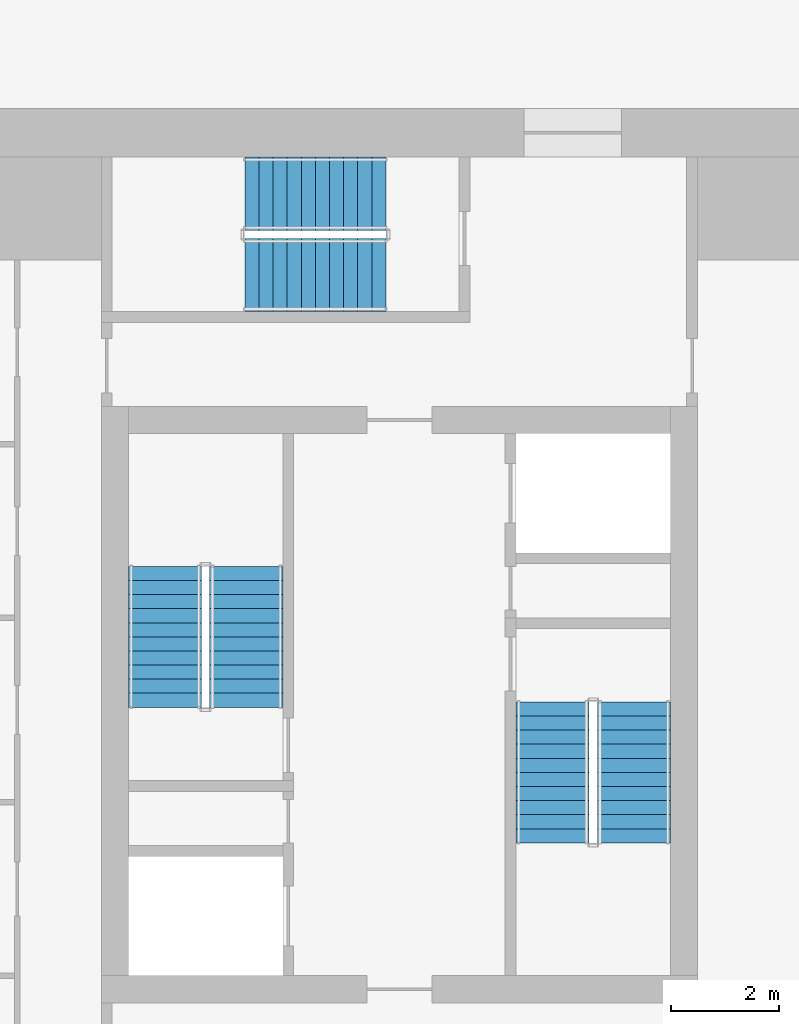
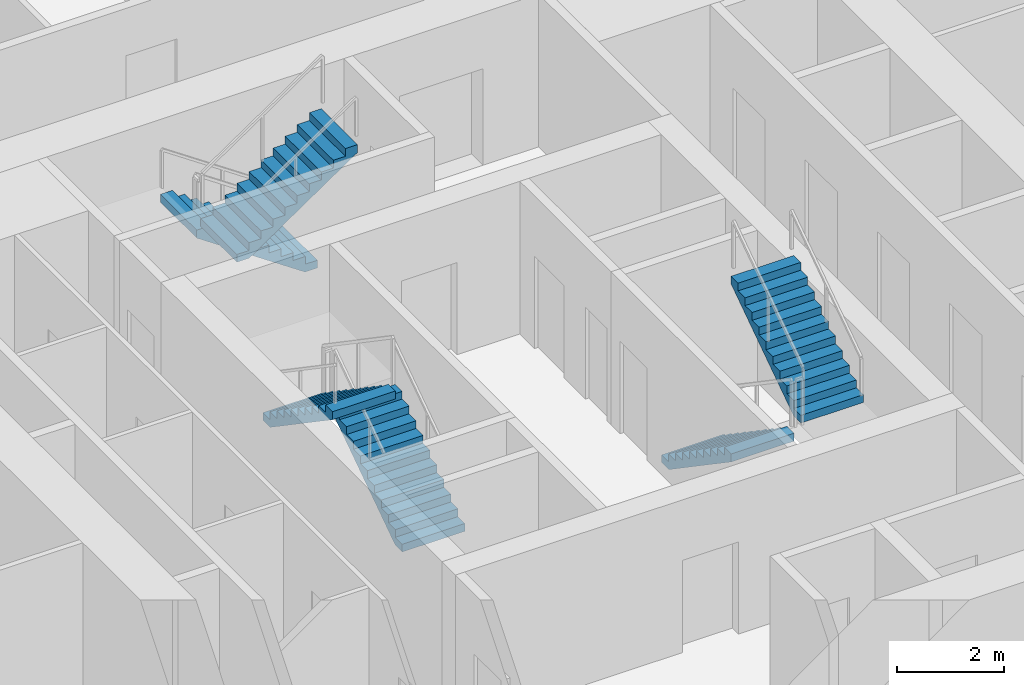
# One storey, part 10 of 15: 6 stair flights, 3 elements without a shape of their own.
"""IFC4 building model written with IfcOpenShell, lengths in metres."""

from ifc_helpers import new_model, si_unit, direction, frame, origin, place, context, subcontext, project, spatial, polyline, outline, extrude, material, type_object, element, aggregate, save


model = new_model("IFC4")

# Units and contexts
model_context = context("Model", 3, precision=1e-05, world=origin(), true_north=direction((0.0, 1.0)))
body_context = subcontext(model_context, "Body", "Model", "MODEL_VIEW")
ifc_project = project(units=[si_unit("LENGTHUNIT", "METRE"), si_unit("AREAUNIT", "SQUARE_METRE"), si_unit("VOLUMEUNIT", "CUBIC_METRE"), si_unit("PLANEANGLEUNIT", "RADIAN"), si_unit("MASSUNIT", "GRAM", prefix="KILO")], contexts=[model_context])

# Site, building, storey
site_placement = place(None, origin())
site = spatial("IfcSite", under=ifc_project, at=site_placement, CompositionType="ELEMENT")
building_placement = place(site_placement, origin())
building = spatial("IfcBuilding", under=site, at=building_placement, Name="Khepri Terraces", CompositionType="ELEMENT")
storey_placement = place(building_placement, frame((0.0, 0.0, 248.39990234375)))
storey = spatial("IfcBuildingStorey", under=building, at=storey_placement, Name="L59", CompositionType="ELEMENT", Elevation=248.39990234375)

# Stair, stair flights
ifc_material = material(Name="Concrete C40/50", Category="concrete")
stair_type = type_object("IfcStairType", Name="STAIR-RC-22R", PredefinedType="HALF_TURN_STAIR", material=ifc_material)
stair_1_placement = place(storey_placement, origin())
stair_1 = element("IfcStair", 1, at=stair_1_placement, inside=storey, type_object=stair_type, Name="L59 Exit Stair ST-1", PredefinedType="HALF_TURN_STAIR")
stair_flight_type = type_object("IfcStairFlightType", Name="SFL-RC-177.3", PredefinedType="STRAIGHT", material=ifc_material)
stair_flight_1_placement = place(storey_placement, frame((-2.824951171875, -0.050048828125, 0.0), z_axis=(0.0, 0.0, 1.0), x_axis=(0.0, 1.0, 0.0)))
stair_flight_1 = element("IfcStairFlight", 2, at=stair_flight_1_placement, type_object=stair_flight_type, Name="ST-1 flight 1", NumberOfRisers=11, NumberOfTreads=10, PredefinedType="STRAIGHT", RiserHeight=0.177272727, TreadLength=0.26, context=body_context, shape_type="SweptSolid", body=[
    extrude(outline(polyline([(0.0, 0.0), (0.0, 0.17724609375), (0.260009765625, 0.17724609375), (0.260009765625, 0.3544921875), (0.52001953125, 0.3544921875), (0.52001953125, 0.53173828125), (0.780029296875, 0.53173828125), (0.780029296875, 0.708984375), (1.0400390625, 0.708984375), (1.0400390625, 0.886474609375), (1.300048828125, 0.886474609375), (1.300048828125, 1.063720703125), (1.56005859375, 1.063720703125), (1.56005859375, 1.240966796875), (1.820068359375, 1.240966796875), (1.820068359375, 1.418212890625), (2.080078125, 1.418212890625), (2.080078125, 1.595458984375), (2.340087890625, 1.595458984375), (2.340087890625, 1.772705078125), (2.60009765625, 1.772705078125), (2.60009765625, 1.949951171875), (2.60009765625, 1.59130859375), (0.26611328125, 0.0), (0.0, 0.0)])), frame((0.0, 0.675048828125, 0.0), z_axis=(0.0, -1.0, 0.0), x_axis=(1.0, 0.0, 0.0)), (0.0, 0.0, 1.0), 1.35009765625),
])
stair_flight_2_placement = place(storey_placement, frame((-4.324951171875, 2.550048828125, 1.9501953125), z_axis=(0.0, 0.0, 1.0), x_axis=(0.0, -1.0, 0.0)))
stair_flight_2 = element("IfcStairFlight", 3, at=stair_flight_2_placement, type_object=stair_flight_type, Name="ST-1 flight 2", NumberOfRisers=11, NumberOfTreads=10, PredefinedType="STRAIGHT", RiserHeight=0.177272727, TreadLength=0.26, context=body_context, shape_type="SweptSolid", body=[
    extrude(outline(polyline([(0.0, 0.0), (0.0, 0.17724609375), (0.260009765625, 0.17724609375), (0.260009765625, 0.3544921875), (0.52001953125, 0.3544921875), (0.52001953125, 0.53173828125), (0.780029296875, 0.53173828125), (0.780029296875, 0.708984375), (1.0400390625, 0.708984375), (1.0400390625, 0.886474609375), (1.300048828125, 0.886474609375), (1.300048828125, 1.063720703125), (1.56005859375, 1.063720703125), (1.56005859375, 1.240966796875), (1.820068359375, 1.240966796875), (1.820068359375, 1.418212890625), (2.080078125, 1.418212890625), (2.080078125, 1.595458984375), (2.340087890625, 1.595458984375), (2.340087890625, 1.772705078125), (2.60009765625, 1.772705078125), (2.60009765625, 1.949951171875), (2.60009765625, 1.59130859375), (0.26611328125, 0.0), (0.0, 0.0)])), frame((0.0, 0.675048828125, 0.0), z_axis=(0.0, -1.0, 0.0), x_axis=(1.0, 0.0, 0.0)), (0.0, 0.0, 1.0), 1.35009765625),
])
aggregate(stair_1, [stair_flight_1, stair_flight_2])

stair_2_placement = place(storey_placement, origin())
stair_2 = element("IfcStair", 4, at=stair_2_placement, inside=storey, type_object=stair_type, Name="L59 Exit Stair ST-2", PredefinedType="HALF_TURN_STAIR")
stair_flight_3_placement = place(storey_placement, frame((2.824951171875, 0.050048828125, 0.0), z_axis=(0.0, 0.0, 1.0), x_axis=(0.0, -1.0, 0.0)))
stair_flight_3 = element("IfcStairFlight", 5, at=stair_flight_3_placement, type_object=stair_flight_type, Name="ST-2 flight 1", NumberOfRisers=11, NumberOfTreads=10, PredefinedType="STRAIGHT", RiserHeight=0.177272727, TreadLength=0.26, context=body_context, shape_type="SweptSolid", body=[
    extrude(outline(polyline([(0.0, 0.0), (0.0, 0.17724609375), (0.260009765625, 0.17724609375), (0.260009765625, 0.3544921875), (0.52001953125, 0.3544921875), (0.52001953125, 0.53173828125), (0.780029296875, 0.53173828125), (0.780029296875, 0.708984375), (1.0400390625, 0.708984375), (1.0400390625, 0.886474609375), (1.300048828125, 0.886474609375), (1.300048828125, 1.063720703125), (1.56005859375, 1.063720703125), (1.56005859375, 1.240966796875), (1.820068359375, 1.240966796875), (1.820068359375, 1.418212890625), (2.080078125, 1.418212890625), (2.080078125, 1.595458984375), (2.340087890625, 1.595458984375), (2.340087890625, 1.772705078125), (2.60009765625, 1.772705078125), (2.60009765625, 1.949951171875), (2.60009765625, 1.59130859375), (0.26611328125, 0.0), (0.0, 0.0)])), frame((0.0, 0.675048828125, 0.0), z_axis=(0.0, -1.0, 0.0), x_axis=(1.0, 0.0, 0.0)), (0.0, 0.0, 1.0), 1.35009765625),
])
stair_flight_4_placement = place(storey_placement, frame((4.324951171875, -2.550048828125, 1.9501953125), z_axis=(0.0, 0.0, 1.0), x_axis=(0.0, 1.0, 0.0)))
stair_flight_4 = element("IfcStairFlight", 6, at=stair_flight_4_placement, type_object=stair_flight_type, Name="ST-2 flight 2", NumberOfRisers=11, NumberOfTreads=10, PredefinedType="STRAIGHT", RiserHeight=0.177272727, TreadLength=0.26, context=body_context, shape_type="SweptSolid", body=[
    extrude(outline(polyline([(0.0, 0.0), (0.0, 0.17724609375), (0.260009765625, 0.17724609375), (0.260009765625, 0.3544921875), (0.52001953125, 0.3544921875), (0.52001953125, 0.53173828125), (0.780029296875, 0.53173828125), (0.780029296875, 0.708984375), (1.0400390625, 0.708984375), (1.0400390625, 0.886474609375), (1.300048828125, 0.886474609375), (1.300048828125, 1.063720703125), (1.56005859375, 1.063720703125), (1.56005859375, 1.240966796875), (1.820068359375, 1.240966796875), (1.820068359375, 1.418212890625), (2.080078125, 1.418212890625), (2.080078125, 1.595458984375), (2.340087890625, 1.595458984375), (2.340087890625, 1.772705078125), (2.60009765625, 1.772705078125), (2.60009765625, 1.949951171875), (2.60009765625, 1.59130859375), (0.26611328125, 0.0), (0.0, 0.0)])), frame((0.0, 0.675048828125, 0.0), z_axis=(0.0, -1.0, 0.0), x_axis=(1.0, 0.0, 0.0)), (0.0, 0.0, 1.0), 1.35009765625),
])
aggregate(stair_2, [stair_flight_3, stair_flight_4])

stair_3_placement = place(storey_placement, origin())
stair_3 = element("IfcStair", 7, at=stair_3_placement, inside=storey, type_object=stair_type, Name="L59 Exit Stair ST-3", PredefinedType="HALF_TURN_STAIR")
stair_flight_5_placement = place(storey_placement, frame((-0.25, 9.425048828125, 0.0), z_axis=(0.0, 0.0, 1.0), x_axis=(-1.0, 0.0, 0.0)))
stair_flight_5 = element("IfcStairFlight", 8, at=stair_flight_5_placement, type_object=stair_flight_type, Name="ST-3 flight 1", NumberOfRisers=11, NumberOfTreads=10, PredefinedType="STRAIGHT", RiserHeight=0.177272727, TreadLength=0.26, context=body_context, shape_type="SweptSolid", body=[
    extrude(outline(polyline([(0.0, 0.0), (0.0, 0.17724609375), (0.260009765625, 0.17724609375), (0.260009765625, 0.3544921875), (0.52001953125, 0.3544921875), (0.52001953125, 0.53173828125), (0.780029296875, 0.53173828125), (0.780029296875, 0.708984375), (1.0400390625, 0.708984375), (1.0400390625, 0.886474609375), (1.300048828125, 0.886474609375), (1.300048828125, 1.063720703125), (1.56005859375, 1.063720703125), (1.56005859375, 1.240966796875), (1.820068359375, 1.240966796875), (1.820068359375, 1.418212890625), (2.080078125, 1.418212890625), (2.080078125, 1.595458984375), (2.340087890625, 1.595458984375), (2.340087890625, 1.772705078125), (2.60009765625, 1.772705078125), (2.60009765625, 1.949951171875), (2.60009765625, 1.59130859375), (0.26611328125, 0.0), (0.0, 0.0)])), frame((0.0, 0.675048828125, 0.0), z_axis=(0.0, -1.0, 0.0), x_axis=(1.0, 0.0, 0.0)), (0.0, 0.0, 1.0), 1.35009765625),
])
stair_flight_6_placement = place(storey_placement, frame((-2.85009765625, 7.925048828125, 1.9501953125), z_axis=(0.0, 0.0, 1.0), x_axis=(1.0, 0.0, 0.0)))
stair_flight_6 = element("IfcStairFlight", 9, at=stair_flight_6_placement, type_object=stair_flight_type, Name="ST-3 flight 2", NumberOfRisers=11, NumberOfTreads=10, PredefinedType="STRAIGHT", RiserHeight=0.177272727, TreadLength=0.26, context=body_context, shape_type="SweptSolid", body=[
    extrude(outline(polyline([(0.0, 0.0), (0.0, 0.17724609375), (0.260009765625, 0.17724609375), (0.260009765625, 0.3544921875), (0.52001953125, 0.3544921875), (0.52001953125, 0.53173828125), (0.780029296875, 0.53173828125), (0.780029296875, 0.708984375), (1.0400390625, 0.708984375), (1.0400390625, 0.886474609375), (1.300048828125, 0.886474609375), (1.300048828125, 1.063720703125), (1.56005859375, 1.063720703125), (1.56005859375, 1.240966796875), (1.820068359375, 1.240966796875), (1.820068359375, 1.418212890625), (2.080078125, 1.418212890625), (2.080078125, 1.595458984375), (2.340087890625, 1.595458984375), (2.340087890625, 1.772705078125), (2.60009765625, 1.772705078125), (2.60009765625, 1.949951171875), (2.60009765625, 1.59130859375), (0.26611328125, 0.0), (0.0, 0.0)])), frame((0.0, 0.675048828125, 0.0), z_axis=(0.0, -1.0, 0.0), x_axis=(1.0, 0.0, 0.0)), (0.0, 0.0, 1.0), 1.35009765625),
])
aggregate(stair_3, [stair_flight_5, stair_flight_6])

save(model, "model.ifc")
